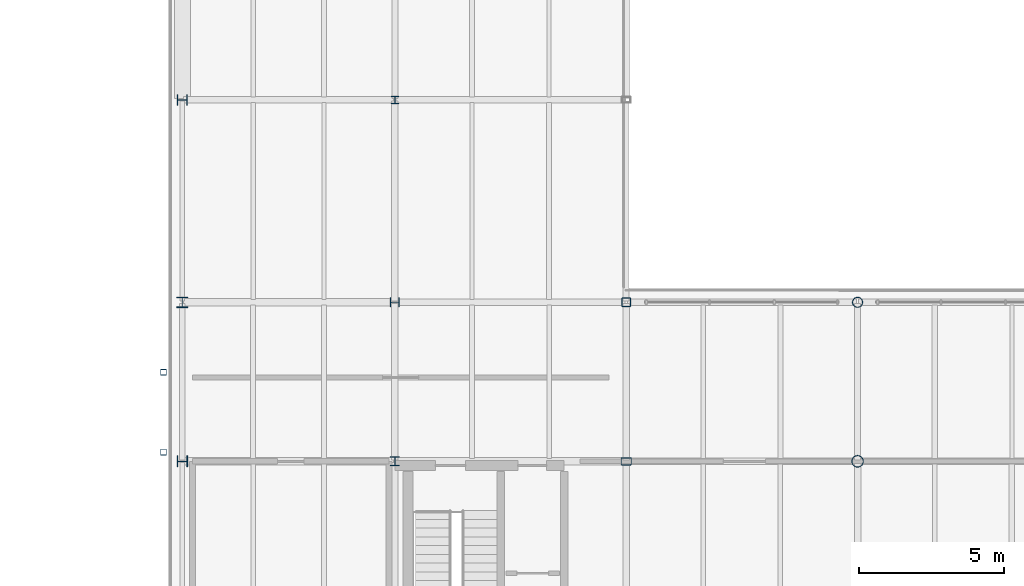
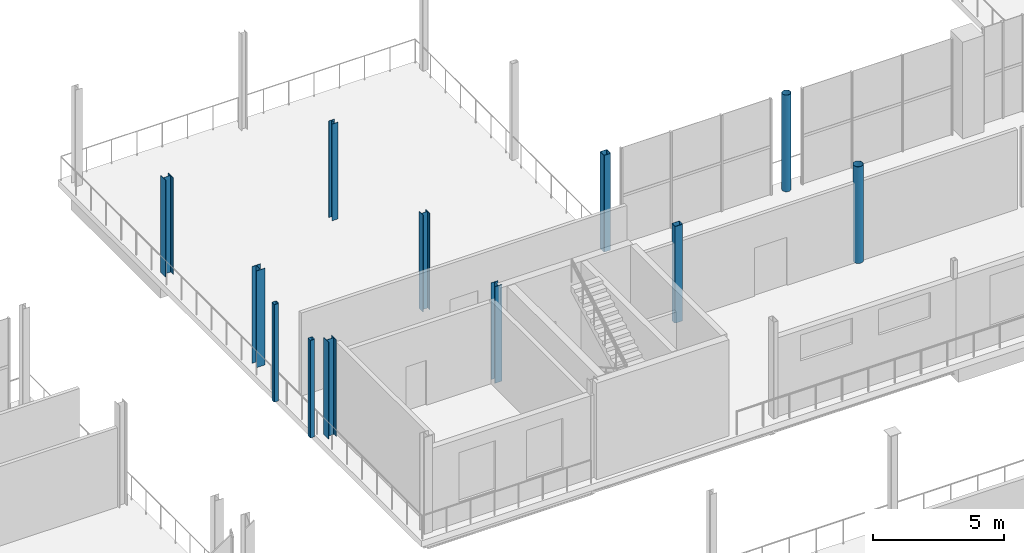
# One storey, part 24 of 93: 12 columns.
"""IFC4 building model written with IfcOpenShell, lengths in metres."""

from ifc_helpers import new_model, si_unit, direction, frame, origin, origin_2d, place, context, subcontext, project, spatial, hollow_rectangle, hollow_circle, i_section, extrude, material, material_profile, profile_set, type_object, element, save


model = new_model("IFC4")

# Units and contexts
model_context = context("Model", 3, precision=1e-05, world=origin(), true_north=direction((0.0, 1.0)))
body_context = subcontext(model_context, "Body", "Model", "MODEL_VIEW")
ifc_project = project(units=[si_unit("LENGTHUNIT", "METRE"), si_unit("AREAUNIT", "SQUARE_METRE"), si_unit("VOLUMEUNIT", "CUBIC_METRE"), si_unit("PLANEANGLEUNIT", "RADIAN"), si_unit("MASSUNIT", "GRAM", prefix="KILO")], contexts=[model_context])

# Site, building, storey
site_placement = place(None, origin())
site = spatial("IfcSite", under=ifc_project, at=site_placement, CompositionType="ELEMENT")
building_placement = place(site_placement, origin())
building = spatial("IfcBuilding", under=site, at=building_placement, Name="Brisemont Oceanarium", CompositionType="ELEMENT")
storey_placement = place(building_placement, frame((0.0, 0.0, 5.39990234375)))
storey = spatial("IfcBuildingStorey", under=building, at=storey_placement, Name="L01", CompositionType="ELEMENT", Elevation=5.39990234375)

# Columns
ifc_material_1 = material(Name="Structural Steel ASTM A500 Gr.C", Category="steel")
ifc_material_profile_1 = material_profile(ifc_material_1, hollow_circle(Radius=0.177978515625, WallThickness=0.01171875, at=origin_2d()), Name="HSS14.000X0.500")
ifc_profile_set_1 = profile_set([ifc_material_profile_1], Name="Structural Steel ASTM A500 Gr.C")
column_type_1 = type_object("IfcColumnType", Name="COL-CHS14", PredefinedType="COLUMN", material=ifc_profile_set_1)
column_1_placement = place(storey_placement, frame((136.0, 93.5, 0.0), z_axis=(0.0, 0.0, 1.0), x_axis=(0.0, 1.0, 0.0)))
element("IfcColumn", 1, at=column_1_placement, inside=storey, type_object=column_type_1, Name="V6 L01 column (3,2)", PredefinedType="COLUMN", context=body_context, shape_type="SweptSolid", body=[
    extrude(hollow_circle(Radius=0.177978515625, WallThickness=0.01171875, at=origin_2d()), origin(), (0.0, 0.0, 1.0), 4.52001953125),
])
ifc_material_2 = material(Name="Structural Steel ASTM A500 Gr.C", Category="steel")
ifc_material_profile_2 = material_profile(ifc_material_2, hollow_circle(Radius=0.202880859375, WallThickness=0.01171875, at=origin_2d()), Name="HSS16.000X0.500")
ifc_profile_set_2 = profile_set([ifc_material_profile_2], Name="Structural Steel ASTM A500 Gr.C")
column_type_2 = type_object("IfcColumnType", Name="COL-CHS16", PredefinedType="COLUMN", material=ifc_profile_set_2)
column_2_placement = place(storey_placement, frame((136.0, 88.0, 0.0), z_axis=(0.0, 0.0, 1.0), x_axis=(1.0, 0.0, 0.0)))
element("IfcColumn", 2, at=column_2_placement, inside=storey, type_object=column_type_2, Name="V6 L01 column (3,1)", PredefinedType="COLUMN", context=body_context, shape_type="SweptSolid", body=[
    extrude(hollow_circle(Radius=0.202880859375, WallThickness=0.01171875, at=origin_2d()), origin(), (0.0, 0.0, 1.0), 4.52001953125),
])
ifc_material_3 = material(Name="Structural Steel ASTM A500 Gr.C", Category="steel")
ifc_material_profile_3 = material_profile(ifc_material_3, hollow_rectangle(XDim=0.304931640625, YDim=0.304931640625, WallThickness=0.01171875, InnerFilletRadius=0.01220703125, OuterFilletRadius=0.02392578125, at=origin_2d()), Name="HSS12X12X1/2")
ifc_profile_set_3 = profile_set([ifc_material_profile_3], Name="Structural Steel ASTM A500 Gr.C")
column_type_3 = type_object("IfcColumnType", Name="COL-HSS12X12", PredefinedType="COLUMN", material=ifc_profile_set_3)
column_3_placement = place(storey_placement, frame((128.0, 93.5, 0.0), z_axis=(0.0, 0.0, 1.0), x_axis=(1.0, 0.0, 0.0)))
element("IfcColumn", 3, at=column_3_placement, inside=storey, type_object=column_type_3, Name="V6 L01 column (2,2)", PredefinedType="COLUMN", context=body_context, shape_type="SweptSolid", body=[
    extrude(hollow_rectangle(XDim=0.304931640625, YDim=0.304931640625, WallThickness=0.01171875, InnerFilletRadius=0.01220703125, OuterFilletRadius=0.02392578125, at=origin_2d()), origin(), (0.0, 0.0, 1.0), 4.52001953125),
])
ifc_material_4 = material(Name="Structural Steel ASTM A500 Gr.C", Category="steel")
ifc_material_profile_4 = material_profile(ifc_material_4, hollow_rectangle(XDim=0.25390625, YDim=0.35595703125, WallThickness=0.01171875, InnerFilletRadius=0.01220703125, OuterFilletRadius=0.02392578125, at=origin_2d()), Name="HSS14X10X1/2")
ifc_profile_set_4 = profile_set([ifc_material_profile_4], Name="Structural Steel ASTM A500 Gr.C")
column_type_4 = type_object("IfcColumnType", Name="COL-HSS14X10", PredefinedType="COLUMN", material=ifc_profile_set_4)
column_4_placement = place(storey_placement, frame((128.0, 88.0, 0.0), z_axis=(0.0, 0.0, 1.0), x_axis=(0.0, 1.0, 0.0)))
element("IfcColumn", 4, at=column_4_placement, inside=storey, type_object=column_type_4, Name="V6 L01 column (2,1)", PredefinedType="COLUMN", context=body_context, shape_type="SweptSolid", body=[
    extrude(hollow_rectangle(XDim=0.25390625, YDim=0.35595703125, WallThickness=0.01171875, InnerFilletRadius=0.01220703125, OuterFilletRadius=0.02392578125, at=origin_2d()), origin(), (0.0, 0.0, 1.0), 4.52001953125),
])
ifc_material_5 = material(Name="Structural Steel ASTM A500 Gr.C", Category="steel")
ifc_material_profile_5 = material_profile(ifc_material_5, hollow_rectangle(XDim=0.202880859375, YDim=0.202880859375, WallThickness=0.0087890625, InnerFilletRadius=0.009033203125, OuterFilletRadius=0.01806640625, at=origin_2d()), Name="HSS8X8X3/8")
ifc_profile_set_5 = profile_set([ifc_material_profile_5], Name="Structural Steel ASTM A500 Gr.C")
column_type_5 = type_object("IfcColumnType", Name="COL-HSS8X8", PredefinedType="COLUMN", material=ifc_profile_set_5)
for number, where, z_axis, x_axis, name in (
    (5, (112.0, 88.320068359375, 0.0), (0.0, 0.0, 1.0), (1.0, 0.0, 0.0), "Seismic bridge pier L01"),
    (6, (112.0, 91.080078125, 0.0), (0.0, 0.0, 1.0), (1.0, 0.0, 0.0), "Seismic bridge pier L01"),
):
    element("IfcColumn", number, at=place(storey_placement, frame(where, z_axis=z_axis, x_axis=x_axis)), inside=storey, type_object=column_type_5, Name=name, PredefinedType="COLUMN", context=body_context, shape_type="SweptSolid", body=[
        extrude(hollow_rectangle(XDim=0.202880859375, YDim=0.202880859375, WallThickness=0.0087890625, InnerFilletRadius=0.009033203125, OuterFilletRadius=0.01806640625, at=origin_2d()), origin(), (0.0, 0.0, 1.0), 4.56005859375),
    ])
ifc_material_6 = material(Name="Structural Steel ASTM A992 Gr.50", Category="steel")
ifc_material_profile_6 = material_profile(ifc_material_6, i_section(OverallWidth=0.256103515625, OverallDepth=0.260009765625, WebThickness=0.0107421875, FlangeThickness=0.017333984375, FilletRadius=0.010986328125, at=origin_2d()), Name="W10X60")
ifc_profile_set_6 = profile_set([ifc_material_profile_6], Name="Structural Steel ASTM A992 Gr.50")
column_type_6 = type_object("IfcColumnType", Name="COL-W10X60", PredefinedType="COLUMN", material=ifc_profile_set_6)
column_5_placement = place(storey_placement, frame((120.0, 100.5, 0.0), z_axis=(0.0, 0.0, 1.0), x_axis=(1.0, 0.0, 0.0)))
element("IfcColumn", 7, at=column_5_placement, inside=storey, type_object=column_type_6, Name="V6 L01 column (1,3)", PredefinedType="COLUMN", context=body_context, shape_type="SweptSolid", body=[
    extrude(i_section(OverallWidth=0.256103515625, OverallDepth=0.260009765625, WebThickness=0.0107421875, FlangeThickness=0.017333984375, FilletRadius=0.010986328125, at=origin_2d()), origin(), (0.0, 0.0, 1.0), 4.52001953125),
])
ifc_material_7 = material(Name="Structural Steel ASTM A992 Gr.50", Category="steel")
ifc_material_profile_7 = material_profile(ifc_material_7, i_section(OverallWidth=0.304931640625, OverallDepth=0.306884765625, WebThickness=0.010009765625, FlangeThickness=0.015380859375, FilletRadius=0.012939453125, at=origin_2d()), Name="W12X65")
ifc_profile_set_7 = profile_set([ifc_material_profile_7], Name="Structural Steel ASTM A992 Gr.50")
column_type_7 = type_object("IfcColumnType", Name="COL-W12X65", PredefinedType="COLUMN", material=ifc_profile_set_7)
column_6_placement = place(storey_placement, frame((120.0, 93.5, 0.0), z_axis=(0.0, 0.0, 1.0), x_axis=(0.0, 1.0, 0.0)))
element("IfcColumn", 8, at=column_6_placement, inside=storey, type_object=column_type_7, Name="V6 L01 column (1,2)", PredefinedType="COLUMN", context=body_context, shape_type="SweptSolid", body=[
    extrude(i_section(OverallWidth=0.304931640625, OverallDepth=0.306884765625, WebThickness=0.010009765625, FlangeThickness=0.015380859375, FilletRadius=0.012939453125, at=origin_2d()), origin(), (0.0, 0.0, 1.0), 4.52001953125),
])
ifc_material_8 = material(Name="Structural Steel ASTM A992 Gr.50", Category="steel")
ifc_material_profile_8 = material_profile(ifc_material_8, i_section(OverallWidth=0.305908203125, OverallDepth=0.31103515625, WebThickness=0.010986328125, FlangeThickness=0.01708984375, FilletRadius=0.012939453125, at=origin_2d()), Name="W12X72")
ifc_profile_set_8 = profile_set([ifc_material_profile_8], Name="Structural Steel ASTM A992 Gr.50")
column_type_8 = type_object("IfcColumnType", Name="COL-W12X72", PredefinedType="COLUMN", material=ifc_profile_set_8)
column_7_placement = place(storey_placement, frame((120.0, 88.0, 0.0), z_axis=(0.0, 0.0, 1.0), x_axis=(1.0, 0.0, 0.0)))
element("IfcColumn", 9, at=column_7_placement, inside=storey, type_object=column_type_8, Name="V6 L01 column (1,1)", PredefinedType="COLUMN", context=body_context, shape_type="SweptSolid", body=[
    extrude(i_section(OverallWidth=0.305908203125, OverallDepth=0.31103515625, WebThickness=0.010986328125, FlangeThickness=0.01708984375, FilletRadius=0.012939453125, at=origin_2d()), origin(), (0.0, 0.0, 1.0), 4.52001953125),
])
ifc_material_9 = material(Name="Structural Steel ASTM A992 Gr.50", Category="steel")
ifc_material_profile_9 = material_profile(ifc_material_9, i_section(OverallWidth=0.37109375, OverallDepth=0.364013671875, WebThickness=0.01318359375, FlangeThickness=0.021728515625, FilletRadius=0.014892578125, at=origin_2d()), Name="W14X109")
ifc_profile_set_9 = profile_set([ifc_material_profile_9], Name="Structural Steel ASTM A992 Gr.50")
column_type_9 = type_object("IfcColumnType", Name="COL-W14X109", PredefinedType="COLUMN", material=ifc_profile_set_9)
column_8_placement = place(storey_placement, frame((112.64990234375, 88.0, 0.0), z_axis=(0.0, 0.0, 1.0), x_axis=(0.0, 1.0, 0.0)))
element("IfcColumn", 10, at=column_8_placement, inside=storey, type_object=column_type_9, Name="V6 L01 column (0,1)", PredefinedType="COLUMN", context=body_context, shape_type="SweptSolid", body=[
    extrude(i_section(OverallWidth=0.37109375, OverallDepth=0.364013671875, WebThickness=0.01318359375, FlangeThickness=0.021728515625, FilletRadius=0.014892578125, at=origin_2d()), origin(), (0.0, 0.0, 1.0), 4.52001953125),
])
ifc_material_10 = material(Name="Structural Steel ASTM A992 Gr.50", Category="steel")
ifc_material_profile_10 = material_profile(ifc_material_10, i_section(OverallWidth=0.367919921875, OverallDepth=0.35595703125, WebThickness=0.01123046875, FlangeThickness=0.01806640625, FilletRadius=0.014892578125, at=origin_2d()), Name="W14X90")
ifc_profile_set_10 = profile_set([ifc_material_profile_10], Name="Structural Steel ASTM A992 Gr.50")
column_type_10 = type_object("IfcColumnType", Name="COL-W14X90", PredefinedType="COLUMN", material=ifc_profile_set_10)
column_9_placement = place(storey_placement, frame((112.64990234375, 100.5, 0.0), z_axis=(0.0, 0.0, 1.0), x_axis=(0.0, 1.0, 0.0)))
element("IfcColumn", 11, at=column_9_placement, inside=storey, type_object=column_type_10, Name="V6 L01 column (0,3)", PredefinedType="COLUMN", context=body_context, shape_type="SweptSolid", body=[
    extrude(i_section(OverallWidth=0.367919921875, OverallDepth=0.35595703125, WebThickness=0.01123046875, FlangeThickness=0.01806640625, FilletRadius=0.014892578125, at=origin_2d()), origin(), (0.0, 0.0, 1.0), 4.52001953125),
])
ifc_material_11 = material(Name="Structural Steel ASTM A992 Gr.50", Category="steel")
ifc_material_profile_11 = material_profile(ifc_material_11, i_section(OverallWidth=0.37109375, OverallDepth=0.361083984375, WebThickness=0.01220703125, FlangeThickness=0.019775390625, FilletRadius=0.014892578125, at=origin_2d()), Name="W14X99")
ifc_profile_set_11 = profile_set([ifc_material_profile_11], Name="Structural Steel ASTM A992 Gr.50")
column_type_11 = type_object("IfcColumnType", Name="COL-W14X99", PredefinedType="COLUMN", material=ifc_profile_set_11)
column_10_placement = place(storey_placement, frame((112.64990234375, 93.5, 0.0), z_axis=(0.0, 0.0, 1.0), x_axis=(1.0, 0.0, 0.0)))
element("IfcColumn", 12, at=column_10_placement, inside=storey, type_object=column_type_11, Name="V6 L01 column (0,2)", PredefinedType="COLUMN", context=body_context, shape_type="SweptSolid", body=[
    extrude(i_section(OverallWidth=0.37109375, OverallDepth=0.361083984375, WebThickness=0.01220703125, FlangeThickness=0.019775390625, FilletRadius=0.014892578125, at=origin_2d()), origin(), (0.0, 0.0, 1.0), 4.52001953125),
])

save(model, "model.ifc")
